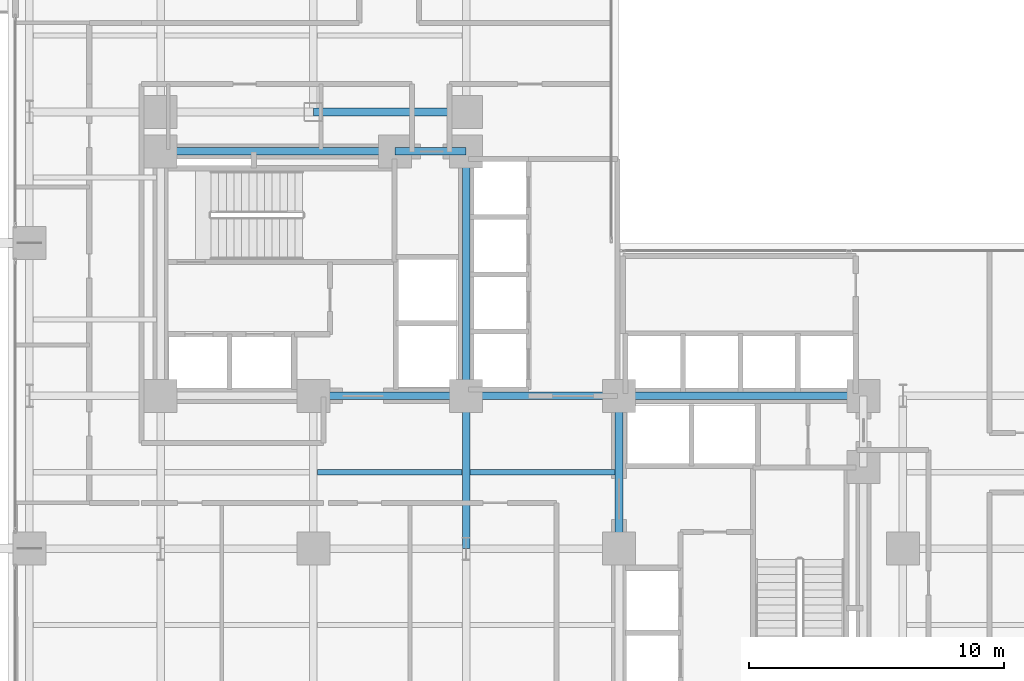
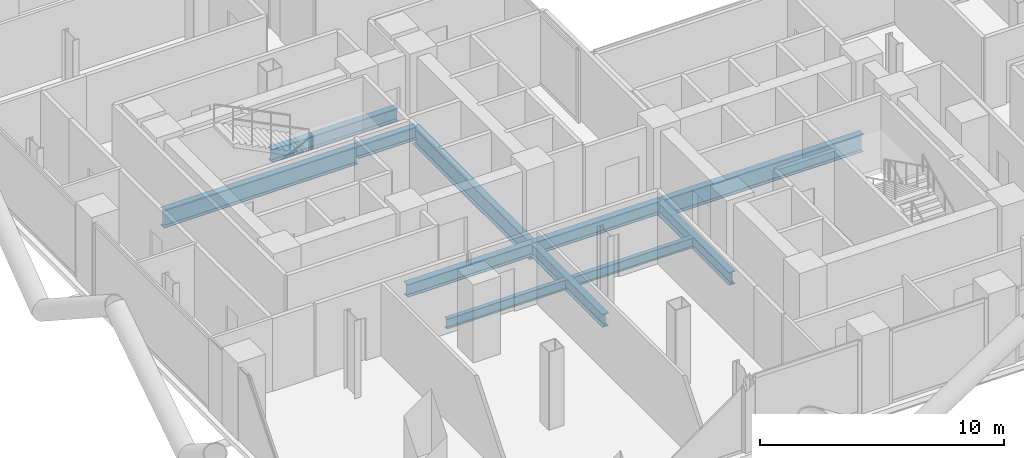
# One storey, part 6 of 27: 11 beams.
"""IFC4 building model written with IfcOpenShell, lengths in metres."""

from ifc_helpers import new_model, si_unit, direction, frame, origin, origin_2d, place, context, subcontext, project, spatial, i_section, extrude, material, material_profile, profile_set, type_object, element, save


model = new_model("IFC4")

# Units and contexts
model_context = context("Model", 3, precision=1e-05, world=origin(), true_north=direction((0.0, 1.0)))
body_context = subcontext(model_context, "Body", "Model", "MODEL_VIEW")
ifc_project = project(units=[si_unit("LENGTHUNIT", "METRE"), si_unit("AREAUNIT", "SQUARE_METRE"), si_unit("VOLUMEUNIT", "CUBIC_METRE"), si_unit("PLANEANGLEUNIT", "RADIAN"), si_unit("MASSUNIT", "GRAM", prefix="KILO"), si_unit("THERMODYNAMICTEMPERATUREUNIT", "KELVIN"), si_unit("POWERUNIT", "WATT")], contexts=[model_context])

# Site, building, storey
site_placement = place(None, origin())
site = spatial("IfcSite", under=ifc_project, at=site_placement, CompositionType="ELEMENT")
building_placement = place(site_placement, origin())
building = spatial("IfcBuilding", under=site, at=building_placement, Name="Svarakhadi Broadcast Tower", CompositionType="ELEMENT")
storey_placement = place(building_placement, frame((0.0, 0.0, 59.699951171875)))
storey = spatial("IfcBuildingStorey", under=building, at=storey_placement, Name="L13", CompositionType="ELEMENT", Elevation=59.699951171875)

# Beams
ifc_material_1 = material(Name="Steel S355J2 (IS 2062 E350C)", Category="steel")
ifc_material_profile_1 = material_profile(ifc_material_1, i_section(OverallWidth=0.199951171875, OverallDepth=0.5, WebThickness=0.01025390625, FlangeThickness=0.01611328125, FilletRadius=0.02099609375, at=origin_2d()), Name="NPB 500x200x91")
ifc_profile_set_1 = profile_set([ifc_material_profile_1], Name="Steel S355J2 (IS 2062 E350C)")
beam_type_1 = type_object("IfcBeamType", Name="Beam_NPB500", PredefinedType="BEAM", material=ifc_profile_set_1)
for number, where, z_axis, x_axis, name in (
    (1, (12.159912109375, 15.0, -0.5), (1.0, 0.0, 0.0), (0.0, 1.0, 0.0), "L13 Secondary Composite Beam SB015"),
    (2, (18.159912109375, 15.0, -0.5), (1.0, 0.0, 0.0), (0.0, 1.0, 0.0), "L13 Secondary Composite Beam SB021"),
):
    element("IfcBeam", number, at=place(storey_placement, frame(where, z_axis=z_axis, x_axis=x_axis)), inside=storey, type_object=beam_type_1, Name=name, PredefinedType="BEAM", context=body_context, shape_type="SweptSolid", body=[
        extrude(i_section(OverallWidth=0.199951171875, OverallDepth=0.5, WebThickness=0.01025390625, FlangeThickness=0.01611328125, FilletRadius=0.02099609375, at=origin_2d()), origin(), (0.0, 0.0, 1.0), 5.68017578125),
    ])
ifc_material_profile_2 = material_profile(ifc_material_1, i_section(OverallWidth=0.300048828125, OverallDepth=0.64990234375, WebThickness=0.01611328125, FlangeThickness=0.031005859375, FilletRadius=0.027099609375, at=origin_2d()), Name="WPB 650x300x225")
ifc_profile_set_2 = profile_set([ifc_material_profile_2], Name="Steel S355J2 (IS 2062 E350C)")
beam_type_2 = type_object("IfcBeamType", Name="Girder_WPB650", PredefinedType="USERDEFINED", material=ifc_profile_set_2)
for number, where, z_axis, x_axis, name in (
    (3, (12.0, 18.0, -0.574951171875), (1.0, 0.0, 0.0), (0.0, 1.0, 0.0), "L13 Primary E-W Girder G027"),
    (4, (18.0, 18.0, -0.574951171875), (1.0, 0.0, 0.0), (0.0, 1.0, 0.0), "L13 Primary E-W Girder G028"),
):
    element("IfcBeam", number, at=place(storey_placement, frame(where, z_axis=z_axis, x_axis=x_axis)), inside=storey, type_object=beam_type_2, Name=name, ObjectType="GIRDER", PredefinedType="USERDEFINED", context=body_context, shape_type="SweptSolid", body=[
        extrude(i_section(OverallWidth=0.300048828125, OverallDepth=0.64990234375, WebThickness=0.01611328125, FlangeThickness=0.031005859375, FilletRadius=0.027099609375, at=origin_2d()), origin(), (0.0, 0.0, 1.0), 6.0),
    ])
beam_1_placement = place(storey_placement, frame((15.199951171875, 27.60009765625, -0.574951171875), z_axis=(1.0, 0.0, 0.0), x_axis=(0.0, 1.0, 0.0)))
element("IfcBeam", 5, at=beam_1_placement, inside=storey, type_object=beam_type_2, Name="L13 Primary E-W Girder G033", ObjectType="GIRDER", PredefinedType="USERDEFINED", context=body_context, shape_type="SweptSolid", body=[
    extrude(i_section(OverallWidth=0.300048828125, OverallDepth=0.64990234375, WebThickness=0.01611328125, FlangeThickness=0.031005859375, FilletRadius=0.027099609375, at=origin_2d()), origin(), (0.0, 0.0, 1.0), 2.800048828125),
])
for number, where, z_axis, x_axis, name in (
    (6, (12.0, 29.14990234375, -0.574951171875), (1.0, 0.0, 0.0), (0.0, 1.0, 0.0), "L13 Primary E-W Girder G036"),
    (7, (18.0, 12.0, -0.574951171875), (0.0, 1.0, 0.0), (-1.0, 0.0, 0.0), "L13 Primary N-S Girder G066"),
    (8, (24.0, 12.0, -0.574951171875), (0.0, 1.0, 0.0), (-1.0, 0.0, 0.0), "L13 Primary N-S Girder G073"),
):
    element("IfcBeam", number, at=place(storey_placement, frame(where, z_axis=z_axis, x_axis=x_axis)), inside=storey, type_object=beam_type_2, Name=name, ObjectType="GIRDER", PredefinedType="USERDEFINED", context=body_context, shape_type="SweptSolid", body=[
        extrude(i_section(OverallWidth=0.300048828125, OverallDepth=0.64990234375, WebThickness=0.01611328125, FlangeThickness=0.031005859375, FilletRadius=0.027099609375, at=origin_2d()), origin(), (0.0, 0.0, 1.0), 6.0),
    ])
ifc_material_2 = material(Name="Steel S460ML (IS 2062 E450BR)", Category="steel")
ifc_material_profile_3 = material_profile(ifc_material_2, i_section(OverallWidth=0.300048828125, OverallDepth=0.89990234375, WebThickness=0.0185546875, FlangeThickness=0.034912109375, FilletRadius=0.030029296875, at=origin_2d()), Name="WPB 900x300x291")
ifc_profile_set_3 = profile_set([ifc_material_profile_3], Name="Steel S460ML (IS 2062 E450BR)")
beam_type_3 = type_object("IfcBeamType", Name="Girder_WPB900", PredefinedType="USERDEFINED", material=ifc_profile_set_3)
beam_2_placement = place(storey_placement, frame((24.0, 18.0, -0.699951171875), z_axis=(1.0, 0.0, 0.0), x_axis=(0.0, 1.0, 0.0)))
element("IfcBeam", 9, at=beam_2_placement, inside=storey, type_object=beam_type_3, Name="L13 Primary E-W Girder G029", ObjectType="GIRDER", PredefinedType="USERDEFINED", context=body_context, shape_type="SweptSolid", body=[
    extrude(i_section(OverallWidth=0.300048828125, OverallDepth=0.89990234375, WebThickness=0.0185546875, FlangeThickness=0.034912109375, FilletRadius=0.030029296875, at=origin_2d()), origin(), (0.0, 0.0, 1.0), 9.60009765625),
])
beam_3_placement = place(storey_placement, frame((6.0, 27.60009765625, -0.699951171875), z_axis=(1.0, 0.0, 0.0), x_axis=(0.0, 1.0, 0.0)))
element("IfcBeam", 10, at=beam_3_placement, inside=storey, type_object=beam_type_3, Name="L13 Primary E-W Girder G032", ObjectType="GIRDER", PredefinedType="USERDEFINED", context=body_context, shape_type="SweptSolid", body=[
    extrude(i_section(OverallWidth=0.300048828125, OverallDepth=0.89990234375, WebThickness=0.0185546875, FlangeThickness=0.034912109375, FilletRadius=0.030029296875, at=origin_2d()), origin(), (0.0, 0.0, 1.0), 9.199951171875),
])
beam_4_placement = place(storey_placement, frame((18.0, 18.0, -0.699951171875), z_axis=(0.0, 1.0, 0.0), x_axis=(-1.0, 0.0, 0.0)))
element("IfcBeam", 11, at=beam_4_placement, inside=storey, type_object=beam_type_3, Name="L13 Primary N-S Girder G067", ObjectType="GIRDER", PredefinedType="USERDEFINED", context=body_context, shape_type="SweptSolid", body=[
    extrude(i_section(OverallWidth=0.300048828125, OverallDepth=0.89990234375, WebThickness=0.0185546875, FlangeThickness=0.034912109375, FilletRadius=0.030029296875, at=origin_2d()), origin(), (0.0, 0.0, 1.0), 9.60009765625),
])

save(model, "model.ifc")
